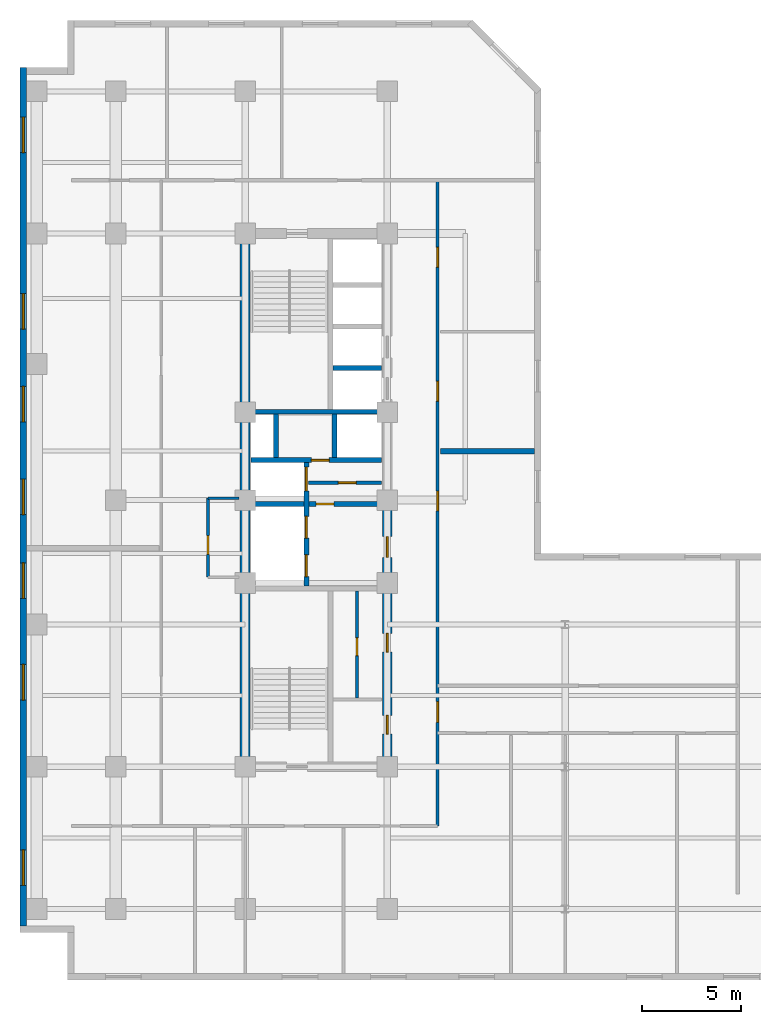
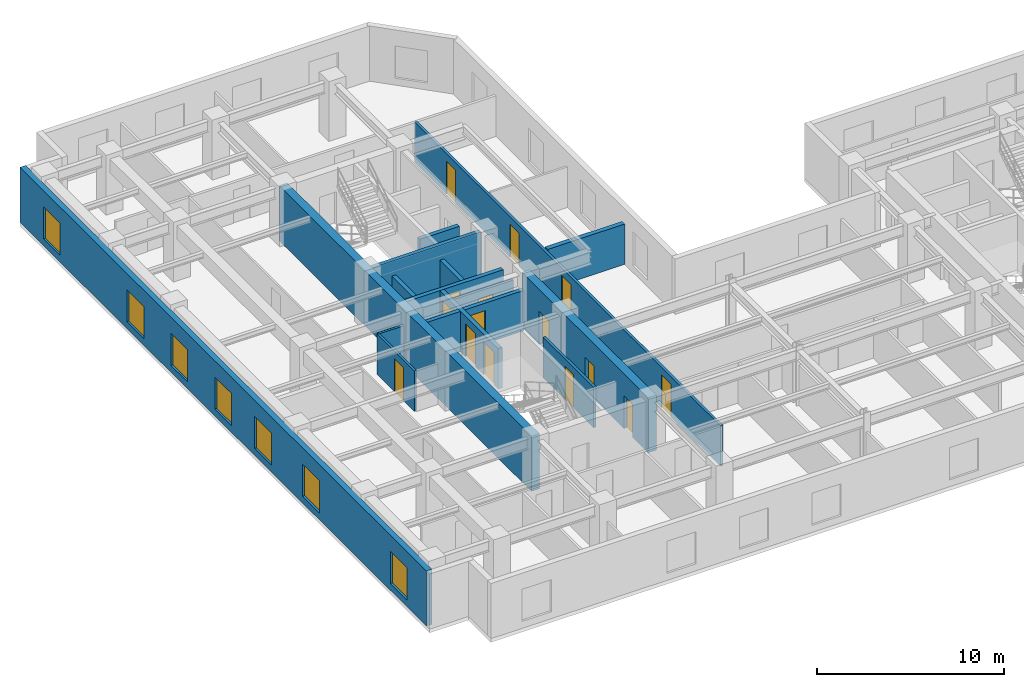
# One storey, part 4 of 10: 16 walls, 15 doors, 7 windows, 22 openings.
"""IFC4 building model written with IfcOpenShell, lengths in metres."""

from ifc_helpers import new_model, entity, si_unit, converted_unit, direction, frame, origin_with_axes, origin_2d_with_axis, place, context, subcontext, project, spatial, polyline, rectangle, outline, extrude, material, layer, layer_set, type_object, element, fill, save


model = new_model("IFC4")

# Units and contexts
model_context = context("Model", 3, precision=1e-05, world=origin_with_axes(), true_north=direction((0.0, 1.0)))
body_context = subcontext(model_context, "Body", "Model", "MODEL_VIEW")
ifc_project = project(units=[si_unit("LENGTHUNIT", "METRE"), si_unit("AREAUNIT", "SQUARE_METRE"), si_unit("VOLUMEUNIT", "CUBIC_METRE"), converted_unit("PLANEANGLEUNIT", "DEGREE", entity("IfcPlaneAngleMeasure", 0.017453292519943295), si_unit("PLANEANGLEUNIT", "RADIAN"), dimensions=[0, 0, 0, 0, 0, 0, 0]), si_unit("MASSUNIT", "GRAM", prefix="KILO"), si_unit("THERMODYNAMICTEMPERATUREUNIT", "KELVIN")], contexts=[model_context])

# Site, building, storey
site_placement = place(None, origin_with_axes())
site = spatial("IfcSite", under=ifc_project, at=site_placement, CompositionType="ELEMENT")
building_placement = place(site_placement, origin_with_axes())
building = spatial("IfcBuilding", under=site, at=building_placement, Name="Varnlund Millrace Tower", CompositionType="ELEMENT")
storey_placement = place(building_placement, frame((0.0, 0.0, 183.6), z_axis=(0.0, 0.0, 1.0), x_axis=(1.0, 0.0, 0.0)))
storey = spatial("IfcBuildingStorey", under=building, at=storey_placement, Name="L45", CompositionType="ELEMENT", Elevation=183.6)

# Wall
ifc_material_1 = material(Name="Concrete C70/85", Category="concrete")
ifc_layer_1 = layer(ifc_material_1, 0.5, Name="Concrete C70/85")
ifc_layer_set_1 = layer_set([ifc_layer_1], Name="Concrete C70/85")
wall_type_1 = type_object("IfcWallType", Name="Type-CoreWall-Shear-500-C70", PredefinedType="SHEAR", material=ifc_layer_set_1)
wall_1_placement = place(storey_placement, frame((11.4, 10.8, 0.0), z_axis=(0.0, 0.0, 1.0), x_axis=(0.0, 1.0, 0.0)))
element("IfcWall", 1, at=wall_1_placement, inside=storey, type_object=wall_type_1, Name="Type-CoreWall-Shear-500-C70", PredefinedType="SHEAR", context=body_context, shape_type="SweptSolid", body=[
    extrude(outline(polyline([(0.0, -0.25), (27.0, -0.25), (27.0, 0.25), (0.0, 0.25), (0.0, -0.25)])), origin_with_axes(), (0.0, 0.0, 1.0), 3.6),
])

# Wall, openings, doors
wall_2_placement = place(storey_placement, frame((18.6, 10.8, 0.0), z_axis=(0.0, 0.0, 1.0), x_axis=(0.0, 1.0, 0.0)))
wall_2 = element("IfcWall", 2, at=wall_2_placement, inside=storey, type_object=wall_type_1, Name="Type-CoreWall-Shear-500-C70", PredefinedType="SHEAR", context=body_context, shape_type="SweptSolid", body=[
    extrude(outline(polyline([(0.0, -0.25), (13.5, -0.25), (13.5, 0.25), (0.0, 0.25), (0.0, -0.25)])), origin_with_axes(), (0.0, 0.0, 1.0), 3.6),
])
opening_1_placement = place(wall_2_placement, frame((11.125, 0.0, 0.0), z_axis=(0.0, 0.0, 1.0), x_axis=(1.0, 0.0, 0.0)))
opening_1 = element("IfcOpeningElement", 3, at=opening_1_placement, cuts=wall_2, Name="Opening L45:DR-FFLOB-A", PredefinedType="OPENING", context=body_context, shape_type="SweptSolid", body=[
    extrude(rectangle(XDim=1.05, YDim=0.52, at=origin_2d_with_axis()), origin_with_axes(), (0.0, 0.0, 1.0), 2.15),
])
opening_2_placement = place(wall_2_placement, frame((2.125, 0.0, 0.0), z_axis=(0.0, 0.0, 1.0), x_axis=(1.0, 0.0, 0.0)))
opening_2 = element("IfcOpeningElement", 4, at=opening_2_placement, cuts=wall_2, Name="Opening L45:DR-RECL-A1-1", PredefinedType="OPENING", context=body_context, shape_type="SweptSolid", body=[
    extrude(rectangle(XDim=0.95, YDim=0.52, at=origin_2d_with_axis()), origin_with_axes(), (0.0, 0.0, 1.0), 2.15),
])
opening_3_placement = place(wall_2_placement, frame((6.275, 0.0, 0.0), z_axis=(0.0, 0.0, 1.0), x_axis=(1.0, 0.0, 0.0)))
opening_3 = element("IfcOpeningElement", 5, at=opening_3_placement, cuts=wall_2, Name="Opening L45:DR-RECL-A1-3", PredefinedType="OPENING", context=body_context, shape_type="SweptSolid", body=[
    extrude(rectangle(XDim=0.95, YDim=0.52, at=origin_2d_with_axis()), origin_with_axes(), (0.0, 0.0, 1.0), 2.15),
])
ifc_material_2 = material(Name="Smoke-barrier hollow steel fire door", Category="steel")
door_type_1 = type_object("IfcDoorType", Name="Type-FireDoor-Lobby-1050X2150", OperationType="NOTDEFINED", PredefinedType="DOOR", material=ifc_material_2)
door_1_placement = place(wall_2_placement, frame((11.125, 0.0, 0.0), z_axis=(0.0, 0.0, 1.0), x_axis=(1.0, 0.0, 0.0)))
door_1 = element("IfcDoor", 6, at=door_1_placement, inside=storey, type_object=door_type_1, Name="Type-FireDoor-Lobby-1050X2150", OperationType="SINGLE_SWING_LEFT", OverallHeight=2.15, OverallWidth=1.05, PredefinedType="DOOR", context=body_context, shape_type="SweptSolid", body=[
    extrude(rectangle(XDim=1.05, YDim=0.09, at=origin_2d_with_axis()), origin_with_axes(), (0.0, 0.0, 1.0), 2.15),
])
fill(opening_1, door_1)
ifc_material_3 = material(Name="Fire-rated hollow steel core service door", Category="steel")
door_type_2 = type_object("IfcDoorType", Name="Type-FireDoor-Service-950X2150", OperationType="NOTDEFINED", PredefinedType="DOOR", material=ifc_material_3)
door_2_placement = place(wall_2_placement, frame((2.125, 0.0, 0.0), z_axis=(0.0, 0.0, 1.0), x_axis=(1.0, 0.0, 0.0)))
door_2 = element("IfcDoor", 7, at=door_2_placement, inside=storey, type_object=door_type_2, Name="Type-FireDoor-Service-950X2150", OperationType="SINGLE_SWING_LEFT", OverallHeight=2.15, OverallWidth=0.95, PredefinedType="DOOR", context=body_context, shape_type="SweptSolid", body=[
    extrude(rectangle(XDim=0.95, YDim=0.09, at=origin_2d_with_axis()), origin_with_axes(), (0.0, 0.0, 1.0), 2.15),
])
fill(opening_2, door_2)
door_3_placement = place(wall_2_placement, frame((6.275, 0.0, 0.0), z_axis=(0.0, 0.0, 1.0), x_axis=(1.0, 0.0, 0.0)))
door_3 = element("IfcDoor", 8, at=door_3_placement, inside=storey, type_object=door_type_2, Name="Type-FireDoor-Service-950X2150", OperationType="SINGLE_SWING_RIGHT", OverallHeight=2.15, OverallWidth=0.95, PredefinedType="DOOR", context=body_context, shape_type="SweptSolid", body=[
    extrude(rectangle(XDim=0.95, YDim=0.09, at=origin_2d_with_axis()), origin_with_axes(), (0.0, 0.0, 1.0), 2.15),
])
fill(opening_3, door_3)

# Wall, openings, windows
ifc_material_4 = material(Name="Precast concrete C50/60", Category="concrete")
ifc_layer_2 = layer(ifc_material_4, 0.34, Name="Precast concrete C50/60")
ifc_layer_set_2 = layer_set([ifc_layer_2], Name="Precast concrete C50/60")
wall_type_2 = type_object("IfcWallType", Name="Type-ExtWall-Precast-Upper-340", PredefinedType="SOLIDWALL", material=ifc_layer_set_2)
wall_3_placement = place(storey_placement, frame((0.17, 2.74, 0.0), z_axis=(0.0, 0.0, 1.0), x_axis=(0.0, 1.0, 0.0)))
wall_3 = element("IfcWall", 9, at=wall_3_placement, inside=storey, type_object=wall_type_2, Name="Type-ExtWall-Precast-Upper-340", PredefinedType="SOLIDWALL", context=body_context, shape_type="SweptSolid", body=[
    extrude(outline(polyline([(0.0, -0.17), (43.46, -0.17), (43.46, 0.17), (0.0, 0.17), (0.0, -0.17)])), origin_with_axes(), (0.0, 0.0, 1.0), 3.6),
])
opening_4_placement = place(wall_3_placement, frame((2.948, 0.0, 0.45), z_axis=(0.0, 0.0, 1.0), x_axis=(1.0, 0.0, 0.0)))
opening_4 = element("IfcOpeningElement", 10, at=opening_4_placement, cuts=wall_3, Name="Opening L45:WN-18", PredefinedType="OPENING", context=body_context, shape_type="SweptSolid", body=[
    extrude(rectangle(XDim=1.8, YDim=0.36, at=origin_2d_with_axis()), origin_with_axes(), (0.0, 0.0, 1.0), 2.1),
])
opening_5_placement = place(wall_3_placement, frame((12.339, 0.0, 0.45), z_axis=(0.0, 0.0, 1.0), x_axis=(1.0, 0.0, 0.0)))
opening_5 = element("IfcOpeningElement", 11, at=opening_5_placement, cuts=wall_3, Name="Opening L45:WN-19", PredefinedType="OPENING", context=body_context, shape_type="SweptSolid", body=[
    extrude(rectangle(XDim=1.8, YDim=0.36, at=origin_2d_with_axis()), origin_with_axes(), (0.0, 0.0, 1.0), 2.1),
])
opening_6_placement = place(wall_3_placement, frame((17.484, 0.0, 0.45), z_axis=(0.0, 0.0, 1.0), x_axis=(1.0, 0.0, 0.0)))
opening_6 = element("IfcOpeningElement", 12, at=opening_6_placement, cuts=wall_3, Name="Opening L45:WN-20", PredefinedType="OPENING", context=body_context, shape_type="SweptSolid", body=[
    extrude(rectangle(XDim=1.8, YDim=0.36, at=origin_2d_with_axis()), origin_with_axes(), (0.0, 0.0, 1.0), 2.1),
])
opening_7_placement = place(wall_3_placement, frame((21.73, 0.0, 0.45), z_axis=(0.0, 0.0, 1.0), x_axis=(1.0, 0.0, 0.0)))
opening_7 = element("IfcOpeningElement", 13, at=opening_7_placement, cuts=wall_3, Name="Opening L45:WN-21", PredefinedType="OPENING", context=body_context, shape_type="SweptSolid", body=[
    extrude(rectangle(XDim=1.8, YDim=0.36, at=origin_2d_with_axis()), origin_with_axes(), (0.0, 0.0, 1.0), 2.1),
])
opening_8_placement = place(wall_3_placement, frame((26.426, 0.0, 0.45), z_axis=(0.0, 0.0, 1.0), x_axis=(1.0, 0.0, 0.0)))
opening_8 = element("IfcOpeningElement", 14, at=opening_8_placement, cuts=wall_3, Name="Opening L45:WN-22", PredefinedType="OPENING", context=body_context, shape_type="SweptSolid", body=[
    extrude(rectangle(XDim=1.8, YDim=0.36, at=origin_2d_with_axis()), origin_with_axes(), (0.0, 0.0, 1.0), 2.1),
])
opening_9_placement = place(wall_3_placement, frame((31.121, 0.0, 0.45), z_axis=(0.0, 0.0, 1.0), x_axis=(1.0, 0.0, 0.0)))
opening_9 = element("IfcOpeningElement", 15, at=opening_9_placement, cuts=wall_3, Name="Opening L45:WN-23", PredefinedType="OPENING", context=body_context, shape_type="SweptSolid", body=[
    extrude(rectangle(XDim=1.8, YDim=0.36, at=origin_2d_with_axis()), origin_with_axes(), (0.0, 0.0, 1.0), 2.1),
])
opening_10_placement = place(wall_3_placement, frame((40.062, 0.0, 0.45), z_axis=(0.0, 0.0, 1.0), x_axis=(1.0, 0.0, 0.0)))
opening_10 = element("IfcOpeningElement", 16, at=opening_10_placement, cuts=wall_3, Name="Opening L45:WN-24", PredefinedType="OPENING", context=body_context, shape_type="SweptSolid", body=[
    extrude(rectangle(XDim=1.8, YDim=0.36, at=origin_2d_with_axis()), origin_with_axes(), (0.0, 0.0, 1.0), 2.1),
])
ifc_material_5 = material(Name="Argon low-e triple glazing in thermally broken bronze frame", Category="glass")
window_type = type_object("IfcWindowType", Name="Type-Window-Punched-1800X2100", PartitioningType="SINGLE_PANEL", PredefinedType="WINDOW", material=ifc_material_5)
window_1_placement = place(wall_3_placement, frame((2.948, 0.0, 0.45), z_axis=(0.0, 0.0, 1.0), x_axis=(1.0, 0.0, 0.0)))
window_1 = element("IfcWindow", 17, at=window_1_placement, inside=storey, type_object=window_type, Name="Type-Window-Punched-1800X2100", OverallHeight=2.1, OverallWidth=1.8, PredefinedType="WINDOW", context=body_context, shape_type="SweptSolid", body=[
    extrude(rectangle(XDim=1.8, YDim=0.09, at=origin_2d_with_axis()), origin_with_axes(), (0.0, 0.0, 1.0), 2.1),
])
fill(opening_4, window_1)
window_2_placement = place(wall_3_placement, frame((12.339, 0.0, 0.45), z_axis=(0.0, 0.0, 1.0), x_axis=(1.0, 0.0, 0.0)))
window_2 = element("IfcWindow", 18, at=window_2_placement, inside=storey, type_object=window_type, Name="Type-Window-Punched-1800X2100", OverallHeight=2.1, OverallWidth=1.8, PredefinedType="WINDOW", context=body_context, shape_type="SweptSolid", body=[
    extrude(rectangle(XDim=1.8, YDim=0.09, at=origin_2d_with_axis()), origin_with_axes(), (0.0, 0.0, 1.0), 2.1),
])
fill(opening_5, window_2)
window_3_placement = place(wall_3_placement, frame((17.484, 0.0, 0.45), z_axis=(0.0, 0.0, 1.0), x_axis=(1.0, 0.0, 0.0)))
window_3 = element("IfcWindow", 19, at=window_3_placement, inside=storey, type_object=window_type, Name="Type-Window-Punched-1800X2100", OverallHeight=2.1, OverallWidth=1.8, PredefinedType="WINDOW", context=body_context, shape_type="SweptSolid", body=[
    extrude(rectangle(XDim=1.8, YDim=0.09, at=origin_2d_with_axis()), origin_with_axes(), (0.0, 0.0, 1.0), 2.1),
])
fill(opening_6, window_3)
window_4_placement = place(wall_3_placement, frame((21.73, 0.0, 0.45), z_axis=(0.0, 0.0, 1.0), x_axis=(1.0, 0.0, 0.0)))
window_4 = element("IfcWindow", 20, at=window_4_placement, inside=storey, type_object=window_type, Name="Type-Window-Punched-1800X2100", OverallHeight=2.1, OverallWidth=1.8, PredefinedType="WINDOW", context=body_context, shape_type="SweptSolid", body=[
    extrude(rectangle(XDim=1.8, YDim=0.09, at=origin_2d_with_axis()), origin_with_axes(), (0.0, 0.0, 1.0), 2.1),
])
fill(opening_7, window_4)
window_5_placement = place(wall_3_placement, frame((26.426, 0.0, 0.45), z_axis=(0.0, 0.0, 1.0), x_axis=(1.0, 0.0, 0.0)))
window_5 = element("IfcWindow", 21, at=window_5_placement, inside=storey, type_object=window_type, Name="Type-Window-Punched-1800X2100", OverallHeight=2.1, OverallWidth=1.8, PredefinedType="WINDOW", context=body_context, shape_type="SweptSolid", body=[
    extrude(rectangle(XDim=1.8, YDim=0.09, at=origin_2d_with_axis()), origin_with_axes(), (0.0, 0.0, 1.0), 2.1),
])
fill(opening_8, window_5)
window_6_placement = place(wall_3_placement, frame((31.121, 0.0, 0.45), z_axis=(0.0, 0.0, 1.0), x_axis=(1.0, 0.0, 0.0)))
window_6 = element("IfcWindow", 22, at=window_6_placement, inside=storey, type_object=window_type, Name="Type-Window-Punched-1800X2100", OverallHeight=2.1, OverallWidth=1.8, PredefinedType="WINDOW", context=body_context, shape_type="SweptSolid", body=[
    extrude(rectangle(XDim=1.8, YDim=0.09, at=origin_2d_with_axis()), origin_with_axes(), (0.0, 0.0, 1.0), 2.1),
])
fill(opening_9, window_6)
window_7_placement = place(wall_3_placement, frame((40.062, 0.0, 0.45), z_axis=(0.0, 0.0, 1.0), x_axis=(1.0, 0.0, 0.0)))
window_7 = element("IfcWindow", 23, at=window_7_placement, inside=storey, type_object=window_type, Name="Type-Window-Punched-1800X2100", OverallHeight=2.1, OverallWidth=1.8, PredefinedType="WINDOW", context=body_context, shape_type="SweptSolid", body=[
    extrude(rectangle(XDim=1.8, YDim=0.09, at=origin_2d_with_axis()), origin_with_axes(), (0.0, 0.0, 1.0), 2.1),
])
fill(opening_10, window_7)

# Wall
ifc_material_6 = material(Name="Double-stud STC-60 conference acoustic partition", Category="gypsum")
ifc_layer_3 = layer(ifc_material_6, 0.28, Name="Double-stud STC-60 conference acoustic partition")
ifc_layer_set_3 = layer_set([ifc_layer_3], Name="Double-stud STC-60 conference acoustic partition")
wall_type_3 = type_object("IfcWallType", Name="Type-Partition-Acoustic-280", PredefinedType="PARTITIONING", material=ifc_layer_set_3)
wall_4_placement = place(storey_placement, frame((21.3, 26.781, 0.0), z_axis=(0.0, 0.0, 1.0), x_axis=(1.0, 0.0, 0.0)))
element("IfcWall", 24, at=wall_4_placement, inside=storey, type_object=wall_type_3, Name="Type-Partition-Acoustic-280", PredefinedType="PARTITIONING", context=body_context, shape_type="SweptSolid", body=[
    extrude(outline(polyline([(0.0, -0.14), (4.759, -0.14), (4.759, 0.14), (0.0, 0.14), (0.0, -0.14)])), origin_with_axes(), (0.0, 0.0, 1.0), 2.64),
])

# Wall, opening, door
ifc_material_7 = material(Name="Fire-rated gypsum board on cold-formed steel framing", Category="steel")
ifc_layer_4 = layer(ifc_material_7, 0.16, Name="Fire-rated gypsum board on cold-formed steel framing")
ifc_layer_set_4 = layer_set([ifc_layer_4], Name="Fire-rated gypsum board on cold-formed steel framing")
wall_type_4 = type_object("IfcWallType", Name="Type-Partition-Corridor-160", PredefinedType="PARTITIONING", material=ifc_layer_set_4)
wall_5_placement = place(storey_placement, frame((14.62, 25.18, 0.0), z_axis=(0.0, 0.0, 1.0), x_axis=(1.0, 0.0, 0.0)))
wall_5 = element("IfcWall", 25, at=wall_5_placement, inside=storey, type_object=wall_type_4, Name="Type-Partition-Corridor-160", PredefinedType="PARTITIONING", context=body_context, shape_type="SweptSolid", body=[
    extrude(outline(polyline([(0.0, -0.08), (3.68, -0.08), (3.68, 0.08), (0.0, 0.08), (0.0, -0.08)])), origin_with_axes(), (0.0, 0.0, 1.0), 2.64),
])
opening_11_placement = place(wall_5_placement, frame((1.95, 0.0, 0.0), z_axis=(0.0, 0.0, 1.0), x_axis=(1.0, 0.0, 0.0)))
opening_11 = element("IfcOpeningElement", 26, at=opening_11_placement, cuts=wall_5, Name="Opening L45:DR-CA-SUB2", PredefinedType="OPENING", context=body_context, shape_type="SweptSolid", body=[
    extrude(rectangle(XDim=0.9, YDim=0.18, at=origin_2d_with_axis()), origin_with_axes(), (0.0, 0.0, 1.0), 2.15),
])
ifc_material_8 = material(Name="Painted steel riser and closet door", Category="steel")
door_type_3 = type_object("IfcDoorType", Name="Type-IntDoor-Closet-900X2150", OperationType="NOTDEFINED", PredefinedType="DOOR", material=ifc_material_8)
door_4_placement = place(wall_5_placement, frame((1.95, 0.0, 0.0), z_axis=(0.0, 0.0, 1.0), x_axis=(1.0, 0.0, 0.0)))
door_4 = element("IfcDoor", 27, at=door_4_placement, inside=storey, type_object=door_type_3, Name="Type-IntDoor-Closet-900X2150", OperationType="SINGLE_SWING_LEFT", OverallHeight=2.15, OverallWidth=0.9, PredefinedType="DOOR", context=body_context, shape_type="SweptSolid", body=[
    extrude(rectangle(XDim=0.9, YDim=0.09, at=origin_2d_with_axis()), origin_with_axes(), (0.0, 0.0, 1.0), 2.15),
])
fill(opening_11, door_4)

wall_6_placement = place(storey_placement, frame((17.07, 14.28, 0.0), z_axis=(0.0, 0.0, 1.0), x_axis=(0.0, 1.0, 0.0)))
wall_6 = element("IfcWall", 28, at=wall_6_placement, inside=storey, type_object=wall_type_4, Name="Type-Partition-Corridor-160", PredefinedType="PARTITIONING", context=body_context, shape_type="SweptSolid", body=[
    extrude(outline(polyline([(0.0, -0.08), (5.42, -0.08), (5.42, 0.08), (0.0, 0.08), (0.0, -0.08)])), origin_with_axes(), (0.0, 0.0, 1.0), 2.64),
])
opening_12_placement = place(wall_6_placement, frame((2.6, 0.0, 0.0), z_axis=(0.0, 0.0, 1.0), x_axis=(1.0, 0.0, 0.0)))
opening_12 = element("IfcOpeningElement", 29, at=opening_12_placement, cuts=wall_6, Name="Opening L45:DR-RECL-A1-2", PredefinedType="OPENING", context=body_context, shape_type="SweptSolid", body=[
    extrude(rectangle(XDim=0.9, YDim=0.18, at=origin_2d_with_axis()), origin_with_axes(), (0.0, 0.0, 1.0), 2.15),
])
door_5_placement = place(wall_6_placement, frame((2.6, 0.0, 0.0), z_axis=(0.0, 0.0, 1.0), x_axis=(1.0, 0.0, 0.0)))
door_5 = element("IfcDoor", 30, at=door_5_placement, inside=storey, type_object=door_type_3, Name="Type-IntDoor-Closet-900X2150", OperationType="SINGLE_SWING_LEFT", OverallHeight=2.15, OverallWidth=0.9, PredefinedType="DOOR", context=body_context, shape_type="SweptSolid", body=[
    extrude(rectangle(XDim=0.9, YDim=0.09, at=origin_2d_with_axis()), origin_with_axes(), (0.0, 0.0, 1.0), 2.15),
])
fill(opening_12, door_5)

# Wall, openings, doors
wall_7_placement = place(storey_placement, frame((21.15, 7.8, 0.0), z_axis=(0.0, 0.0, 1.0), x_axis=(0.0, 1.0, 0.0)))
wall_7 = element("IfcWall", 31, at=wall_7_placement, inside=storey, type_object=wall_type_4, Name="Type-Partition-Corridor-160", PredefinedType="PARTITIONING", context=body_context, shape_type="SweptSolid", body=[
    extrude(outline(polyline([(0.0, -0.08), (32.7, -0.08), (32.7, 0.08), (0.0, 0.08), (0.0, -0.08)])), origin_with_axes(), (0.0, 0.0, 1.0), 2.64),
])
opening_13_placement = place(wall_7_placement, frame((16.4555, 0.0, 0.0), z_axis=(0.0, 0.0, 1.0), x_axis=(1.0, 0.0, 0.0)))
opening_13 = element("IfcOpeningElement", 32, at=opening_13_placement, cuts=wall_7, Name="Opening L45:DR-FLR-01", PredefinedType="OPENING", context=body_context, shape_type="SweptSolid", body=[
    extrude(rectangle(XDim=1.0, YDim=0.18, at=origin_2d_with_axis()), origin_with_axes(), (0.0, 0.0, 1.0), 2.15),
])
opening_14_placement = place(wall_7_placement, frame((22.009, 0.0, 0.0), z_axis=(0.0, 0.0, 1.0), x_axis=(1.0, 0.0, 0.0)))
opening_14 = element("IfcOpeningElement", 33, at=opening_14_placement, cuts=wall_7, Name="Opening L45:DR-FLR-02", PredefinedType="OPENING", context=body_context, shape_type="SweptSolid", body=[
    extrude(rectangle(XDim=1.0, YDim=0.18, at=origin_2d_with_axis()), origin_with_axes(), (0.0, 0.0, 1.0), 2.15),
])
opening_15_placement = place(wall_7_placement, frame((28.8035, 0.0, 0.0), z_axis=(0.0, 0.0, 1.0), x_axis=(1.0, 0.0, 0.0)))
opening_15 = element("IfcOpeningElement", 34, at=opening_15_placement, cuts=wall_7, Name="Opening L45:DR-FLR-03", PredefinedType="OPENING", context=body_context, shape_type="SweptSolid", body=[
    extrude(rectangle(XDim=1.0, YDim=0.18, at=origin_2d_with_axis()), origin_with_axes(), (0.0, 0.0, 1.0), 2.15),
])
opening_16_placement = place(wall_7_placement, frame((5.775, 0.0, 0.0), z_axis=(0.0, 0.0, 1.0), x_axis=(1.0, 0.0, 0.0)))
opening_16 = element("IfcOpeningElement", 35, at=opening_16_placement, cuts=wall_7, Name="Opening L45:DR-KN-W", PredefinedType="OPENING", context=body_context, shape_type="SweptSolid", body=[
    extrude(rectangle(XDim=1.05, YDim=0.18, at=origin_2d_with_axis()), origin_with_axes(), (0.0, 0.0, 1.0), 2.15),
])
door_6_placement = place(wall_7_placement, frame((5.775, 0.0, 0.0), z_axis=(0.0, 0.0, 1.0), x_axis=(1.0, 0.0, 0.0)))
door_6 = element("IfcDoor", 36, at=door_6_placement, inside=storey, type_object=door_type_1, Name="Type-FireDoor-Lobby-1050X2150", OperationType="SINGLE_SWING_LEFT", OverallHeight=2.15, OverallWidth=1.05, PredefinedType="DOOR", context=body_context, shape_type="SweptSolid", body=[
    extrude(rectangle(XDim=1.05, YDim=0.09, at=origin_2d_with_axis()), origin_with_axes(), (0.0, 0.0, 1.0), 2.15),
])
fill(opening_16, door_6)
ifc_material_9 = material(Name="Solid-core white oak and bronze frame door")
door_type_4 = type_object("IfcDoorType", Name="Type-IntDoor-Office-1000X2150", OperationType="NOTDEFINED", PredefinedType="DOOR", material=ifc_material_9)
door_7_placement = place(wall_7_placement, frame((16.4555, 0.0, 0.0), z_axis=(0.0, 0.0, 1.0), x_axis=(1.0, 0.0, 0.0)))
door_7 = element("IfcDoor", 37, at=door_7_placement, inside=storey, type_object=door_type_4, Name="Type-IntDoor-Office-1000X2150", OperationType="SINGLE_SWING_LEFT", OverallHeight=2.15, OverallWidth=1.0, PredefinedType="DOOR", context=body_context, shape_type="SweptSolid", body=[
    extrude(rectangle(XDim=1.0, YDim=0.09, at=origin_2d_with_axis()), origin_with_axes(), (0.0, 0.0, 1.0), 2.15),
])
fill(opening_13, door_7)
door_8_placement = place(wall_7_placement, frame((22.009, 0.0, 0.0), z_axis=(0.0, 0.0, 1.0), x_axis=(1.0, 0.0, 0.0)))
door_8 = element("IfcDoor", 38, at=door_8_placement, inside=storey, type_object=door_type_4, Name="Type-IntDoor-Office-1000X2150", OperationType="SINGLE_SWING_RIGHT", OverallHeight=2.15, OverallWidth=1.0, PredefinedType="DOOR", context=body_context, shape_type="SweptSolid", body=[
    extrude(rectangle(XDim=1.0, YDim=0.09, at=origin_2d_with_axis()), origin_with_axes(), (0.0, 0.0, 1.0), 2.15),
])
fill(opening_14, door_8)
door_9_placement = place(wall_7_placement, frame((28.8035, 0.0, 0.0), z_axis=(0.0, 0.0, 1.0), x_axis=(1.0, 0.0, 0.0)))
door_9 = element("IfcDoor", 39, at=door_9_placement, inside=storey, type_object=door_type_4, Name="Type-IntDoor-Office-1000X2150", OperationType="SINGLE_SWING_LEFT", OverallHeight=2.15, OverallWidth=1.0, PredefinedType="DOOR", context=body_context, shape_type="SweptSolid", body=[
    extrude(rectangle(XDim=1.0, YDim=0.09, at=origin_2d_with_axis()), origin_with_axes(), (0.0, 0.0, 1.0), 2.15),
])
fill(opening_15, door_9)

# Wall, opening, door
ifc_material_10 = material(Name="Moisture-resistant gypsum restroom partition", Category="gypsum")
ifc_layer_5 = layer(ifc_material_10, 0.14, Name="Moisture-resistant gypsum restroom partition")
ifc_layer_set_5 = layer_set([ifc_layer_5], Name="Moisture-resistant gypsum restroom partition")
wall_type_5 = type_object("IfcWallType", Name="Type-Partition-Wet-140", PredefinedType="PARTITIONING", material=ifc_layer_set_5)
wall_8_placement = place(storey_placement, frame((9.52, 20.4, 0.0), z_axis=(0.0, 0.0, 1.0), x_axis=(0.0, 1.0, 0.0)))
wall_8 = element("IfcWall", 40, at=wall_8_placement, inside=storey, type_object=wall_type_5, Name="Type-Partition-Wet-140", PredefinedType="PARTITIONING", context=body_context, shape_type="SweptSolid", body=[
    extrude(outline(polyline([(0.0, -0.07), (4.0, -0.07), (4.0, 0.07), (0.0, 0.07), (0.0, -0.07)])), origin_with_axes(), (0.0, 0.0, 1.0), 2.64),
])
opening_17_placement = place(wall_8_placement, frame((1.625, 0.0, 0.0), z_axis=(0.0, 0.0, 1.0), x_axis=(1.0, 0.0, 0.0)))
opening_17 = element("IfcOpeningElement", 41, at=opening_17_placement, cuts=wall_8, Name="Opening L45:DR-CA-WCW", PredefinedType="OPENING", context=body_context, shape_type="SweptSolid", body=[
    extrude(rectangle(XDim=0.95, YDim=0.16, at=origin_2d_with_axis()), origin_with_axes(), (0.0, 0.0, 1.0), 2.15),
])
ifc_material_11 = material(Name="Solid-core acoustic office door")
door_type_5 = type_object("IfcDoorType", Name="Type-IntDoor-Tenant-950X2150", OperationType="NOTDEFINED", PredefinedType="DOOR", material=ifc_material_11)
door_10_placement = place(wall_8_placement, frame((1.625, 0.0, 0.0), z_axis=(0.0, 0.0, 1.0), x_axis=(1.0, 0.0, 0.0)))
door_10 = element("IfcDoor", 42, at=door_10_placement, inside=storey, type_object=door_type_5, Name="Type-IntDoor-Tenant-950X2150", OperationType="SINGLE_SWING_LEFT", OverallHeight=2.15, OverallWidth=0.95, PredefinedType="DOOR", context=body_context, shape_type="SweptSolid", body=[
    extrude(rectangle(XDim=0.95, YDim=0.084, at=origin_2d_with_axis()), origin_with_axes(), (0.0, 0.0, 1.0), 2.15),
])
fill(opening_17, door_10)

# Wall
wall_9_placement = place(storey_placement, frame((9.52, 24.4, 0.0), z_axis=(0.0, 0.0, 1.0), x_axis=(1.0, 0.0, 0.0)))
element("IfcWall", 43, at=wall_9_placement, inside=storey, type_object=wall_type_5, Name="Type-Partition-Wet-140", PredefinedType="PARTITIONING", context=body_context, shape_type="SweptSolid", body=[
    extrude(outline(polyline([(0.0, -0.07), (1.58, -0.07), (1.58, 0.07), (0.0, 0.07), (0.0, -0.07)])), origin_with_axes(), (0.0, 0.0, 1.0), 2.64),
])

# Wall, openings, doors
ifc_material_12 = material(Name="Concrete C60/75", Category="concrete")
ifc_layer_6 = layer(ifc_material_12, 0.25, Name="Concrete C60/75")
ifc_layer_set_6 = layer_set([ifc_layer_6], Name="Concrete C60/75")
wall_type_6 = type_object("IfcWallType", Name="Type-ShaftWall-Fire-250", PredefinedType="SOLIDWALL", material=ifc_layer_set_6)
wall_10_placement = place(storey_placement, frame((14.5, 19.95, 0.0), z_axis=(0.0, 0.0, 1.0), x_axis=(0.0, 1.0, 0.0)))
wall_10 = element("IfcWall", 44, at=wall_10_placement, inside=storey, type_object=wall_type_6, Name="Type-ShaftWall-Fire-250", PredefinedType="SOLIDWALL", context=body_context, shape_type="SweptSolid", body=[
    extrude(outline(polyline([(0.0, -0.125), (6.25, -0.125), (6.25, 0.125), (0.0, 0.125), (0.0, -0.125)])), origin_with_axes(), (0.0, 0.0, 1.0), 2.64),
])
opening_18_placement = place(wall_10_placement, frame((1.025, 0.0, 0.0), z_axis=(0.0, 0.0, 1.0), x_axis=(1.0, 0.0, 0.0)))
opening_18 = element("IfcOpeningElement", 45, at=opening_18_placement, cuts=wall_10, Name="Opening L45:LD-FSAE1", PredefinedType="OPENING", context=body_context, shape_type="SweptSolid", body=[
    extrude(rectangle(XDim=1.1, YDim=0.27, at=origin_2d_with_axis()), origin_with_axes(), (0.0, 0.0, 1.0), 2.15),
])
opening_19_placement = place(wall_10_placement, frame((2.975, 0.0, 0.0), z_axis=(0.0, 0.0, 1.0), x_axis=(1.0, 0.0, 0.0)))
opening_19 = element("IfcOpeningElement", 46, at=opening_19_placement, cuts=wall_10, Name="Opening L45:LD-FSAE2", PredefinedType="OPENING", context=body_context, shape_type="SweptSolid", body=[
    extrude(rectangle(XDim=1.1, YDim=0.27, at=origin_2d_with_axis()), origin_with_axes(), (0.0, 0.0, 1.0), 2.15),
])
opening_20_placement = place(wall_10_placement, frame((5.425, 0.0, 0.0), z_axis=(0.0, 0.0, 1.0), x_axis=(1.0, 0.0, 0.0)))
opening_20 = element("IfcOpeningElement", 47, at=opening_20_placement, cuts=wall_10, Name="Opening L45:LD-SRV1", PredefinedType="OPENING", context=body_context, shape_type="SweptSolid", body=[
    extrude(rectangle(XDim=1.2, YDim=0.27, at=origin_2d_with_axis()), origin_with_axes(), (0.0, 0.0, 1.0), 2.15),
])
ifc_material_13 = material(Name="Stainless and architectural bronze sliding landing door")
door_type_6 = type_object("IfcDoorType", Name="Type-LiftLandingDoor-1100X2150", OperationType="NOTDEFINED", PredefinedType="DOOR", material=ifc_material_13)
door_11_placement = place(wall_10_placement, frame((1.025, 0.0, 0.0), z_axis=(0.0, 0.0, 1.0), x_axis=(1.0, 0.0, 0.0)))
door_11 = element("IfcDoor", 48, at=door_11_placement, inside=storey, type_object=door_type_6, Name="Type-LiftLandingDoor-1100X2150", OperationType="SLIDING_TO_LEFT", OverallHeight=2.15, OverallWidth=1.1, PredefinedType="DOOR", context=body_context, shape_type="SweptSolid", body=[
    extrude(rectangle(XDim=1.1, YDim=0.09, at=origin_2d_with_axis()), origin_with_axes(), (0.0, 0.0, 1.0), 2.15),
])
fill(opening_18, door_11)
door_12_placement = place(wall_10_placement, frame((2.975, 0.0, 0.0), z_axis=(0.0, 0.0, 1.0), x_axis=(1.0, 0.0, 0.0)))
door_12 = element("IfcDoor", 49, at=door_12_placement, inside=storey, type_object=door_type_6, Name="Type-LiftLandingDoor-1100X2150", OperationType="SLIDING_TO_RIGHT", OverallHeight=2.15, OverallWidth=1.1, PredefinedType="DOOR", context=body_context, shape_type="SweptSolid", body=[
    extrude(rectangle(XDim=1.1, YDim=0.09, at=origin_2d_with_axis()), origin_with_axes(), (0.0, 0.0, 1.0), 2.15),
])
fill(opening_19, door_12)
ifc_material_14 = material(Name="Heavy-duty freight sliding landing door")
door_type_7 = type_object("IfcDoorType", Name="Type-LiftLandingDoor-Service-1200X2150", OperationType="NOTDEFINED", PredefinedType="DOOR", material=ifc_material_14)
door_13_placement = place(wall_10_placement, frame((5.425, 0.0, 0.0), z_axis=(0.0, 0.0, 1.0), x_axis=(1.0, 0.0, 0.0)))
door_13 = element("IfcDoor", 50, at=door_13_placement, inside=storey, type_object=door_type_7, Name="Type-LiftLandingDoor-Service-1200X2150", OperationType="DOUBLE_DOOR_SLIDING", OverallHeight=2.15, OverallWidth=1.2, PredefinedType="DOOR", context=body_context, shape_type="SweptSolid", body=[
    extrude(rectangle(XDim=1.2, YDim=0.09, at=origin_2d_with_axis()), origin_with_axes(), (0.0, 0.0, 1.0), 2.15),
])
fill(opening_20, door_13)

# Wall, opening, door
wall_11_placement = place(storey_placement, frame((11.7, 24.1, 0.0), z_axis=(0.0, 0.0, 1.0), x_axis=(1.0, 0.0, 0.0)))
wall_11 = element("IfcWall", 51, at=wall_11_placement, inside=storey, type_object=wall_type_6, Name="Type-ShaftWall-Fire-250", PredefinedType="SOLIDWALL", context=body_context, shape_type="SweptSolid", body=[
    extrude(outline(polyline([(0.0, -0.125), (6.6, -0.125), (6.6, 0.125), (0.0, 0.125), (0.0, -0.125)])), origin_with_axes(), (0.0, 0.0, 1.0), 2.64),
])
opening_21_placement = place(wall_11_placement, frame((3.75, 0.0, 0.0), z_axis=(0.0, 0.0, 1.0), x_axis=(1.0, 0.0, 0.0)))
opening_21 = element("IfcOpeningElement", 52, at=opening_21_placement, cuts=wall_11, Name="Opening L45:DR-CA-SUB1", PredefinedType="OPENING", context=body_context, shape_type="SweptSolid", body=[
    extrude(rectangle(XDim=0.9, YDim=0.27, at=origin_2d_with_axis()), origin_with_axes(), (0.0, 0.0, 1.0), 2.15),
])
ifc_material_15 = material(Name="Fire-rated hollow steel service closet door", Category="steel")
door_type_8 = type_object("IfcDoorType", Name="Type-FireDoor-Closet-900X2150", OperationType="NOTDEFINED", PredefinedType="DOOR", material=ifc_material_15)
door_14_placement = place(wall_11_placement, frame((3.75, 0.0, 0.0), z_axis=(0.0, 0.0, 1.0), x_axis=(1.0, 0.0, 0.0)))
door_14 = element("IfcDoor", 53, at=door_14_placement, inside=storey, type_object=door_type_8, Name="Type-FireDoor-Closet-900X2150", OperationType="SINGLE_SWING_LEFT", OverallHeight=2.15, OverallWidth=0.9, PredefinedType="DOOR", context=body_context, shape_type="SweptSolid", body=[
    extrude(rectangle(XDim=0.9, YDim=0.09, at=origin_2d_with_axis()), origin_with_axes(), (0.0, 0.0, 1.0), 2.15),
])
fill(opening_21, door_14)

wall_12_placement = place(storey_placement, frame((11.7, 26.325, 0.0), z_axis=(0.0, 0.0, 1.0), x_axis=(1.0, 0.0, 0.0)))
wall_12 = element("IfcWall", 54, at=wall_12_placement, inside=storey, type_object=wall_type_6, Name="Type-ShaftWall-Fire-250", PredefinedType="SOLIDWALL", context=body_context, shape_type="SweptSolid", body=[
    extrude(outline(polyline([(0.0, -0.125), (6.6, -0.125), (6.6, 0.125), (0.0, 0.125), (0.0, -0.125)])), origin_with_axes(), (0.0, 0.0, 1.0), 2.64),
])
opening_22_placement = place(wall_12_placement, frame((3.5, 0.0, 0.0), z_axis=(0.0, 0.0, 1.0), x_axis=(1.0, 0.0, 0.0)))
opening_22 = element("IfcOpeningElement", 55, at=opening_22_placement, cuts=wall_12, Name="Opening L45:DR-CA-ELC", PredefinedType="OPENING", context=body_context, shape_type="SweptSolid", body=[
    extrude(rectangle(XDim=0.9, YDim=0.27, at=origin_2d_with_axis()), origin_with_axes(), (0.0, 0.0, 1.0), 2.15),
])
door_15_placement = place(wall_12_placement, frame((3.5, 0.0, 0.0), z_axis=(0.0, 0.0, 1.0), x_axis=(1.0, 0.0, 0.0)))
door_15 = element("IfcDoor", 56, at=door_15_placement, inside=storey, type_object=door_type_8, Name="Type-FireDoor-Closet-900X2150", OperationType="SINGLE_SWING_LEFT", OverallHeight=2.15, OverallWidth=0.9, PredefinedType="DOOR", context=body_context, shape_type="SweptSolid", body=[
    extrude(rectangle(XDim=0.9, YDim=0.09, at=origin_2d_with_axis()), origin_with_axes(), (0.0, 0.0, 1.0), 2.15),
])
fill(opening_22, door_15)

# Walls
for number, where, z_axis, x_axis, name in (
    (57, (12.96, 26.45, 0.0), (0.0, 0.0, 1.0), (0.0, 1.0, 0.0), "Type-ShaftWall-Fire-250"),
    (58, (15.925, 26.45, 0.0), (0.0, 0.0, 1.0), (0.0, 1.0, 0.0), "Type-ShaftWall-Fire-250"),
):
    element("IfcWall", number, at=place(storey_placement, frame(where, z_axis=z_axis, x_axis=x_axis)), inside=storey, type_object=wall_type_6, Name=name, PredefinedType="SOLIDWALL", context=body_context, shape_type="SweptSolid", body=[
        extrude(outline(polyline([(0.0, -0.125), (2.2, -0.125), (2.2, 0.125), (0.0, 0.125), (0.0, -0.125)])), origin_with_axes(), (0.0, 0.0, 1.0), 2.64),
    ])
wall_13_placement = place(storey_placement, frame((15.84, 31.0, 0.0), z_axis=(0.0, 0.0, 1.0), x_axis=(1.0, 0.0, 0.0)))
element("IfcWall", 59, at=wall_13_placement, inside=storey, type_object=wall_type_6, Name="Type-ShaftWall-Fire-250", PredefinedType="SOLIDWALL", context=body_context, shape_type="SweptSolid", body=[
    extrude(outline(polyline([(0.0, -0.125), (2.46, -0.125), (2.46, 0.125), (0.0, 0.125), (0.0, -0.125)])), origin_with_axes(), (0.0, 0.0, 1.0), 2.64),
])
wall_type_7 = type_object("IfcWallType", Name="Type-StairWall-Shear-250", PredefinedType="SHEAR", material=ifc_layer_set_6)
wall_14_placement = place(storey_placement, frame((11.65, 28.775, 0.0), z_axis=(0.0, 0.0, 1.0), x_axis=(1.0, 0.0, 0.0)))
element("IfcWall", 60, at=wall_14_placement, inside=storey, type_object=wall_type_7, Name="Type-StairWall-Shear-250", PredefinedType="SHEAR", context=body_context, shape_type="SweptSolid", body=[
    extrude(outline(polyline([(0.0, -0.125), (6.7, -0.125), (6.7, 0.125), (0.0, 0.125), (0.0, -0.125)])), origin_with_axes(), (0.0, 0.0, 1.0), 3.6),
])

save(model, "model.ifc")
